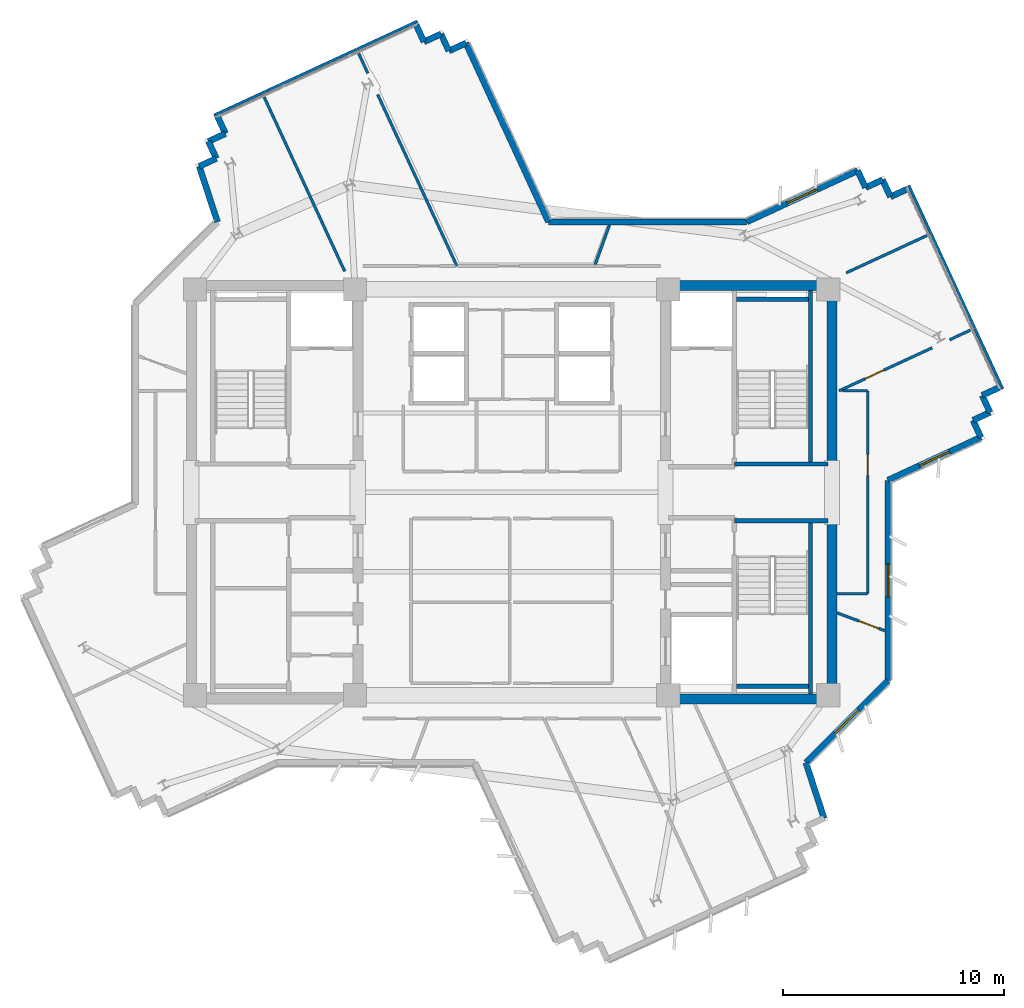
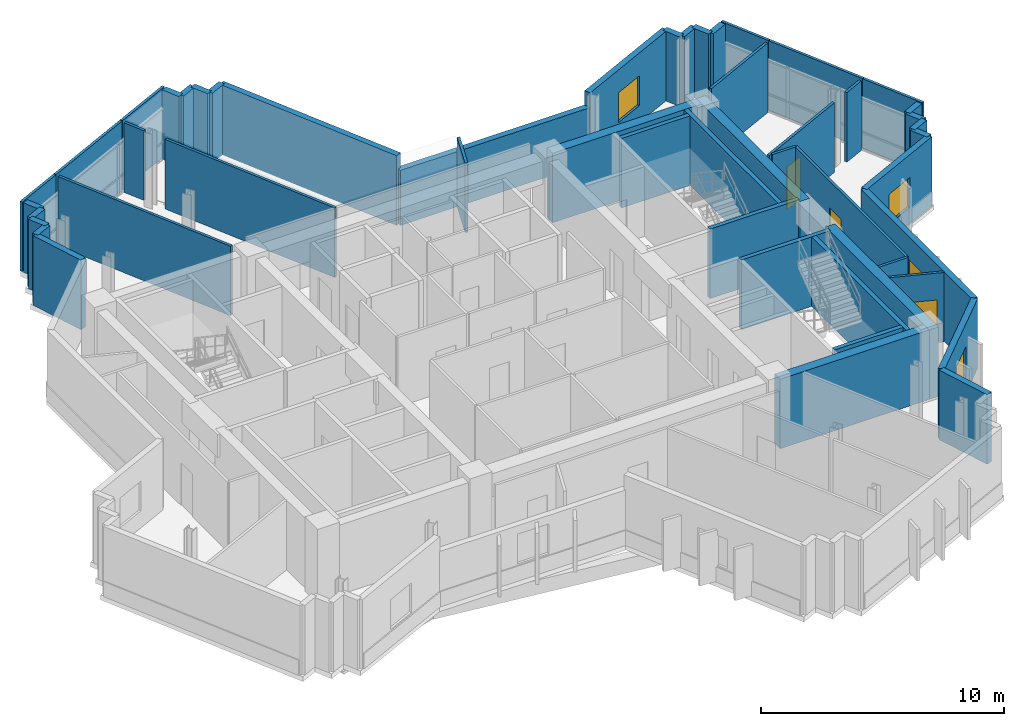
# One storey, part 8 of 12: 51 walls, 4 windows, 3 doors, 7 openings.
"""IFC4 building model written with IfcOpenShell, lengths in metres."""

from ifc_helpers import new_model, si_unit, direction, frame, frame_2d, origin, place, context, subcontext, project, spatial, rectangle, extrude, source, transform, mapped, material, layer, layer_set, type_object, element, fill, save


model = new_model("IFC4")

# Units and contexts
model_context = context("Model", 3, precision=1e-05, world=origin(), true_north=direction((0.0, 1.0)))
body_context = subcontext(model_context, "Body", "Model", "MODEL_VIEW")
ifc_project = project(units=[si_unit("LENGTHUNIT", "METRE"), si_unit("AREAUNIT", "SQUARE_METRE"), si_unit("VOLUMEUNIT", "CUBIC_METRE"), si_unit("PLANEANGLEUNIT", "RADIAN"), si_unit("MASSUNIT", "GRAM", prefix="KILO")], contexts=[model_context])

# Site, building, storey
site_placement = place(None, origin())
site = spatial("IfcSite", under=ifc_project, at=site_placement, CompositionType="ELEMENT")
building_placement = place(site_placement, origin())
building = spatial("IfcBuilding", under=site, at=building_placement, Name="Zahravan Cultural Tower", CompositionType="ELEMENT")
storey_placement = place(building_placement, frame((0.0, 0.0, 242.85009765625)))
storey = spatial("IfcBuildingStorey", under=building, at=storey_placement, Name="L57", CompositionType="ELEMENT", Elevation=242.85009765625)

# Wall, opening, window
ifc_material_1 = material(Name="Precast concrete C40/50", Category="concrete")
ifc_layer_1 = layer(ifc_material_1, 0.280029296875)
ifc_layer_set_1 = layer_set([ifc_layer_1], Name="Precast concrete C40/50")
wall_type_1 = type_object("IfcWallType", Name="EW-TC-280", PredefinedType="SOLIDWALL", material=ifc_layer_set_1)
wall_1_placement = place(storey_placement, frame((46.6552734375, 39.260009765625, 0.0), z_axis=(0.0, 0.0, 1.0), x_axis=(0.907767275269, 0.419474163627, 0.0)))
wall_1 = element("IfcWall", 1, at=wall_1_placement, inside=storey, type_object=wall_type_1, Name="L57 Exterior Masonry Frame Wall 01", PredefinedType="SOLIDWALL", context=body_context, shape_type="SweptSolid", body=[
    extrude(rectangle(XDim=5.544921875, YDim=0.280029296875, at=frame_2d((2.7724609375, 0.0))), origin(), (0.0, 0.0, 1.0), 3.5),
])
opening_1_placement = place(wall_1_placement, frame((2.02197265625, 0.0, 0.85009765625)))
opening_1 = element("IfcOpeningElement", 2, at=opening_1_placement, cuts=wall_1, Name="Opening WN-03", PredefinedType="OPENING", context=body_context, shape_type="SweptSolid", body=[
    extrude(rectangle(XDim=1.5, YDim=1.5, at=frame_2d((0.75, 0.75))), frame((0.0, 0.14990234375, 0.0), z_axis=(0.0, -1.0, 0.0), x_axis=(1.0, 0.0, 0.0)), (0.0, 0.0, 1.0), 0.300048828125),
])
ifc_material_2 = material(Name="Low-E solar-control double glazing", Category="glass")
window_type = type_object("IfcWindowType", Name="WN-REC-1500X1500", PartitioningType="SINGLE_PANEL", PredefinedType="WINDOW", material=ifc_material_2)
shared_shape_1 = source(origin(), body_context, "Body", "SweptSolid", [
    extrude(rectangle(XDim=1.5, YDim=1.5, at=frame_2d((0.75, 0.75))), frame((0.0, 0.030029296875, 0.0), z_axis=(0.0, -1.0, 0.0), x_axis=(1.0, 0.0, 0.0)), (0.0, 0.0, 1.0), 0.06005859375),
])
window_1_placement = place(opening_1_placement, origin())
window_1 = element("IfcWindow", 3, at=window_1_placement, inside=storey, type_object=window_type, Name="L57 Recessed Solar Window 01", OverallHeight=1.5, OverallWidth=1.5, PartitioningType="SINGLE_PANEL", PredefinedType="WINDOW", context=body_context, shape_type="MappedRepresentation", body=[
    mapped(shared_shape_1, transform((0.0, 0.0, 0.0), x_axis=(1.0, 0.0, 0.0), y_axis=(0.0, 1.0, 0.0), z_axis=(0.0, 0.0, 1.0), scale=1.0)),
])
fill(opening_1, window_1)

wall_2_placement = place(storey_placement, frame((57.27587890625, 29.494384765625, 0.0), z_axis=(0.0, 0.0, 1.0), x_axis=(-0.907756183213, -0.419498166669, 0.0)))
wall_2 = element("IfcWall", 4, at=wall_2_placement, inside=storey, type_object=wall_type_1, Name="L57 Exterior Masonry Frame Wall 10", PredefinedType="SOLIDWALL", context=body_context, shape_type="SweptSolid", body=[
    extrude(rectangle(XDim=4.644287109375, YDim=0.280029296875, at=frame_2d((2.322265625, 0.0))), origin(), (0.0, 0.0, 1.0), 3.5),
])
opening_2_placement = place(wall_2_placement, frame((1.572021484375, 0.0, 0.85009765625)))
opening_2 = element("IfcOpeningElement", 5, at=opening_2_placement, cuts=wall_2, Name="Opening WN-03", PredefinedType="OPENING", context=body_context, shape_type="SweptSolid", body=[
    extrude(rectangle(XDim=1.5, YDim=1.5, at=frame_2d((0.75, 0.75))), frame((0.0, 0.14990234375, 0.0), z_axis=(0.0, -1.0, 0.0), x_axis=(1.0, 0.0, 0.0)), (0.0, 0.0, 1.0), 0.300048828125),
])
window_2_placement = place(opening_2_placement, origin())
window_2 = element("IfcWindow", 6, at=window_2_placement, inside=storey, type_object=window_type, Name="L57 Recessed Solar Window 02", OverallHeight=1.5, OverallWidth=1.5, PartitioningType="SINGLE_PANEL", PredefinedType="WINDOW", context=body_context, shape_type="MappedRepresentation", body=[
    mapped(shared_shape_1, transform((0.0, 0.0, 0.0), x_axis=(1.0, 0.0, 0.0), y_axis=(0.0, 1.0, 0.0), z_axis=(0.0, 0.0, 1.0), scale=1.0)),
])
fill(opening_2, window_2)

wall_3_placement = place(storey_placement, frame((53.06005859375, 27.546142578125, 0.0), z_axis=(0.0, 0.0, 1.0), x_axis=(0.0, -1.0, 0.0)))
wall_3 = element("IfcWall", 7, at=wall_3_placement, inside=storey, type_object=wall_type_1, Name="L57 Exterior Masonry Frame Wall 11", PredefinedType="SOLIDWALL", context=body_context, shape_type="SweptSolid", body=[
    extrude(rectangle(XDim=9.088134765625, YDim=0.280029296875, at=frame_2d((4.5439453125, 0.0))), origin(), (0.0, 0.0, 1.0), 3.5),
])
opening_3_placement = place(wall_3_placement, frame((3.7939453125, 0.0, 0.85009765625)))
opening_3 = element("IfcOpeningElement", 8, at=opening_3_placement, cuts=wall_3, Name="Opening WN-03", PredefinedType="OPENING", context=body_context, shape_type="SweptSolid", body=[
    extrude(rectangle(XDim=1.5, YDim=1.5, at=frame_2d((0.75, 0.75))), frame((0.0, 0.14990234375, 0.0), z_axis=(0.0, -1.0, 0.0), x_axis=(1.0, 0.0, 0.0)), (0.0, 0.0, 1.0), 0.300048828125),
])
window_3_placement = place(opening_3_placement, origin())
window_3 = element("IfcWindow", 9, at=window_3_placement, inside=storey, type_object=window_type, Name="L57 Recessed Solar Window 03", OverallHeight=1.5, OverallWidth=1.5, PartitioningType="SINGLE_PANEL", PredefinedType="WINDOW", context=body_context, shape_type="MappedRepresentation", body=[
    mapped(shared_shape_1, transform((0.0, 0.0, 0.0), x_axis=(1.0, 0.0, 0.0), y_axis=(0.0, 1.0, 0.0), z_axis=(0.0, 0.0, 1.0), scale=1.0)),
])
fill(opening_3, window_3)

wall_4_placement = place(storey_placement, frame((53.06005859375, 18.4580078125, 0.0), z_axis=(0.0, 0.0, 1.0), x_axis=(-0.707106781187, -0.707106781187, 0.0)))
wall_4 = element("IfcWall", 10, at=wall_4_placement, inside=storey, type_object=wall_type_1, Name="L57 Exterior Masonry Frame Wall 12", PredefinedType="SOLIDWALL", context=body_context, shape_type="SweptSolid", body=[
    extrude(rectangle(XDim=5.258056640625, YDim=0.280029296875, at=frame_2d((2.62890625, 0.0))), origin(), (0.0, 0.0, 1.0), 3.5),
])
opening_4_placement = place(wall_4_placement, frame((1.87890625, 0.0, 0.85009765625)))
opening_4 = element("IfcOpeningElement", 11, at=opening_4_placement, cuts=wall_4, Name="Opening WN-03", PredefinedType="OPENING", context=body_context, shape_type="SweptSolid", body=[
    extrude(rectangle(XDim=1.5, YDim=1.5, at=frame_2d((0.75, 0.75))), frame((0.0, 0.14990234375, 0.0), z_axis=(0.0, -1.0, 0.0), x_axis=(1.0, 0.0, 0.0)), (0.0, 0.0, 1.0), 0.300048828125),
])
window_4_placement = place(opening_4_placement, origin())
window_4 = element("IfcWindow", 12, at=window_4_placement, inside=storey, type_object=window_type, Name="L57 Recessed Solar Window 04", OverallHeight=1.5, OverallWidth=1.5, PartitioningType="SINGLE_PANEL", PredefinedType="WINDOW", context=body_context, shape_type="MappedRepresentation", body=[
    mapped(shared_shape_1, transform((0.0, 0.0, 0.0), x_axis=(1.0, 0.0, 0.0), y_axis=(0.0, 1.0, 0.0), z_axis=(0.0, 0.0, 1.0), scale=1.0)),
])
fill(opening_4, window_4)

# Wall, opening, door
ifc_material_3 = material(Name="Gypsum plasterboard partition")
ifc_layer_2 = layer(ifc_material_3, 0.125)
ifc_layer_set_2 = layer_set([ifc_layer_2], Name="Gypsum plasterboard partition")
wall_type_2 = type_object("IfcWallType", Name="W-PART-125", PredefinedType="PARTITIONING", material=ifc_layer_set_2)
wall_5_placement = place(storey_placement, frame((55.06787109375, 33.55224609375, 0.0), z_axis=(0.0, 0.0, 1.0), x_axis=(-0.90779658515, -0.419410729465, 0.0)))
wall_5 = element("IfcWall", 13, at=wall_5_placement, inside=storey, type_object=wall_type_2, Name="L57 Interior Wall 073", PredefinedType="PARTITIONING", context=body_context, shape_type="SweptSolid", body=[
    extrude(rectangle(XDim=4.654541015625, YDim=0.125, at=frame_2d((2.3271484375, 0.0))), origin(), (0.0, 0.0, 1.0), 3.5),
])
opening_5_placement = place(wall_5_placement, frame((2.407958984375, 0.0, 0.0)))
opening_5 = element("IfcOpeningElement", 14, at=opening_5_placement, cuts=wall_5, Name="Opening D-L57-32", PredefinedType="OPENING", context=body_context, shape_type="SweptSolid", body=[
    extrude(rectangle(XDim=0.949951171875, YDim=2.14990234375, at=frame_2d((0.47509765625, 1.074951171875))), frame((0.0, 0.072509765625, 0.0), z_axis=(0.0, -1.0, 0.0), x_axis=(1.0, 0.0, 0.0)), (0.0, 0.0, 1.0), 0.14501953125),
])
ifc_material_4 = material(Name="Anodised bronze-aluminium mullion", Category="aluminium")
door_type = type_object("IfcDoorType", Name="DR-ROOM-950", OperationType="NOTDEFINED", PredefinedType="DOOR", material=ifc_material_4)
shared_shape_2 = source(origin(), body_context, "Body", "SweptSolid", [
    extrude(rectangle(XDim=0.949951171875, YDim=2.14990234375, at=frame_2d((0.47509765625, 1.074951171875))), frame((0.0, 0.02490234375, 0.0), z_axis=(0.0, -1.0, 0.0), x_axis=(1.0, 0.0, 0.0)), (0.0, 0.0, 1.0), 0.050048828125),
])
door_1_placement = place(opening_5_placement, origin())
door_1 = element("IfcDoor", 15, at=door_1_placement, inside=storey, type_object=door_type, Name="L57 Door D-L57-32", OperationType="SINGLE_SWING_RIGHT", OverallHeight=2.14990234375, OverallWidth=0.949951171875, PredefinedType="DOOR", context=body_context, shape_type="MappedRepresentation", body=[
    mapped(shared_shape_2, transform((0.0, 0.0, 0.0), x_axis=(1.0, 0.0, 0.0), y_axis=(0.0, 1.0, 0.0), z_axis=(0.0, 0.0, 1.0), scale=1.0)),
])
fill(opening_5, door_1)

wall_6_placement = place(storey_placement, frame((52.14990234375, 22.406005859375, 0.0), z_axis=(0.0, 0.0, 1.0), x_axis=(-2.657666e-05, 0.999999999647, 0.0)))
wall_6 = element("IfcWall", 16, at=wall_6_placement, inside=storey, type_object=wall_type_2, Name="L57 Interior Wall 081", PredefinedType="PARTITIONING", context=body_context, shape_type="SweptSolid", body=[
    extrude(rectangle(XDim=9.186279296875, YDim=0.125, at=frame_2d((4.59326171875, 0.0))), origin(), (0.0, 0.0, 1.0), 3.5),
])
opening_6_placement = place(wall_6_placement, frame((5.353759765625, 0.0, 0.0)))
opening_6 = element("IfcOpeningElement", 17, at=opening_6_placement, cuts=wall_6, Name="Opening D-L57-23", PredefinedType="OPENING", context=body_context, shape_type="SweptSolid", body=[
    extrude(rectangle(XDim=0.949951171875, YDim=2.14990234375, at=frame_2d((0.47509765625, 1.074951171875))), frame((0.0, 0.072509765625, 0.0), z_axis=(0.0, -1.0, 0.0), x_axis=(1.0, 0.0, 0.0)), (0.0, 0.0, 1.0), 0.14501953125),
])
door_2_placement = place(opening_6_placement, origin())
door_2 = element("IfcDoor", 18, at=door_2_placement, inside=storey, type_object=door_type, Name="L57 Door D-L57-23", OperationType="SINGLE_SWING_LEFT", OverallHeight=2.14990234375, OverallWidth=0.949951171875, PredefinedType="DOOR", context=body_context, shape_type="MappedRepresentation", body=[
    mapped(shared_shape_2, transform((0.0, 0.0, 0.0), x_axis=(1.0, 0.0, 0.0), y_axis=(0.0, 1.0, 0.0), z_axis=(0.0, 0.0, 1.0), scale=1.0)),
])
fill(opening_6, door_2)

wall_7_placement = place(storey_placement, frame((52.9150390625, 20.72705078125, 0.0), z_axis=(0.0, 0.0, 1.0), x_axis=(-0.936884992217, 0.349637685839, 0.0)))
wall_7 = element("IfcWall", 19, at=wall_7_placement, inside=storey, type_object=wall_type_2, Name="L57 Interior Wall 084", PredefinedType="PARTITIONING", context=body_context, shape_type="SweptSolid", body=[
    extrude(rectangle(XDim=2.3056640625, YDim=0.125, at=frame_2d((1.15283203125, 0.0))), origin(), (0.0, 0.0, 1.0), 3.5),
])
opening_7_placement = place(wall_7_placement, frame((0.298095703125, 0.0, 0.0)))
opening_7 = element("IfcOpeningElement", 20, at=opening_7_placement, cuts=wall_7, Name="Opening D-L57-35", PredefinedType="OPENING", context=body_context, shape_type="SweptSolid", body=[
    extrude(rectangle(XDim=0.949951171875, YDim=2.14990234375, at=frame_2d((0.47509765625, 1.074951171875))), frame((0.0, 0.072509765625, 0.0), z_axis=(0.0, -1.0, 0.0), x_axis=(1.0, 0.0, 0.0)), (0.0, 0.0, 1.0), 0.14501953125),
])
door_3_placement = place(opening_7_placement, origin())
door_3 = element("IfcDoor", 21, at=door_3_placement, inside=storey, type_object=door_type, Name="L57 Door D-L57-35", OperationType="SINGLE_SWING_LEFT", OverallHeight=2.14990234375, OverallWidth=0.949951171875, PredefinedType="DOOR", context=body_context, shape_type="MappedRepresentation", body=[
    mapped(shared_shape_2, transform((0.0, 0.0, 0.0), x_axis=(1.0, 0.0, 0.0), y_axis=(0.0, 1.0, 0.0), z_axis=(0.0, 0.0, 1.0), scale=1.0)),
])
fill(opening_7, door_3)

# Walls
ifc_material_5 = material(Name="Concrete C50/60", Category="concrete")
ifc_layer_3 = layer(ifc_material_5, 0.449951171875)
ifc_layer_set_3 = layer_set([ifc_layer_3], Name="Concrete C50/60")
wall_type_3 = type_object("IfcWallType", Name="CW-SHEAR-450-C50", PredefinedType="SHEAR", material=ifc_layer_set_3)
shared_shape_3 = source(origin(), body_context, "Body", "SweptSolid", [
    extrude(rectangle(XDim=8.550048828125, YDim=0.449951171875, at=frame_2d((4.27490234375, 0.0))), origin(), (0.0, 0.0, 1.0), 3.5),
])
for number, where, z_axis, x_axis, name in (
    (22, (50.52490234375, 17.39990234375, 0.0), (0.0, 0.0, 1.0), (0.0, 1.0, 0.0), "L57 Core Shear Wall CW-E-ES-L57"),
    (23, (50.52490234375, 28.050048828125, 0.0), (0.0, 0.0, 1.0), (0.0, 1.0, 0.0), "L57 Core Shear Wall CW-E-EN-L57"),
):
    element("IfcWall", number, at=place(storey_placement, frame(where, z_axis=z_axis, x_axis=x_axis)), inside=storey, type_object=wall_type_3, Name=name, PredefinedType="SHEAR", context=body_context, shape_type="MappedRepresentation", body=[
        mapped(shared_shape_3, transform((0.0, 0.0, 0.0), x_axis=(1.0, 0.0, 0.0), y_axis=(0.0, 1.0, 0.0), z_axis=(0.0, 0.0, 1.0), scale=1.0)),
    ])
shared_shape_4 = source(origin(), body_context, "Body", "SweptSolid", [
    extrude(rectangle(XDim=7.10009765625, YDim=0.449951171875, at=frame_2d((3.550048828125, 0.0))), origin(), (0.0, 0.0, 1.0), 3.5),
])
for number, where, z_axis, x_axis, name in (
    (24, (43.199951171875, 17.625, 0.0), (0.0, 0.0, 1.0), (1.0, 0.0, 0.0), "L57 Core Shear Wall CW-E-S-L57"),
    (25, (43.199951171875, 36.375, 0.0), (0.0, 0.0, 1.0), (1.0, 0.0, 0.0), "L57 Core Shear Wall CW-E-N-L57"),
):
    element("IfcWall", number, at=place(storey_placement, frame(where, z_axis=z_axis, x_axis=x_axis)), inside=storey, type_object=wall_type_3, Name=name, PredefinedType="SHEAR", context=body_context, shape_type="MappedRepresentation", body=[
        mapped(shared_shape_4, transform((0.0, 0.0, 0.0), x_axis=(1.0, 0.0, 0.0), y_axis=(0.0, 1.0, 0.0), z_axis=(0.0, 0.0, 1.0), scale=1.0)),
    ])
shared_shape_5 = source(origin(), body_context, "Body", "SweptSolid", [
    extrude(rectangle(XDim=0.85009765625, YDim=0.280029296875, at=frame_2d((0.425048828125, 0.0))), origin(), (0.0, 0.0, 1.0), 3.5),
])
for number, where, z_axis, x_axis, name in (
    (26, (51.688720703125, 41.5859375, 0.0), (0.0, 0.0, 1.0), (0.419549800563, -0.907732320041, 0.0), "L57 Exterior Masonry Frame Wall 02"),
    (27, (52.81689453125, 41.1708984375, 0.0), (0.0, 0.0, 1.0), (0.419313139191, -0.907841666427, 0.0), "L57 Exterior Masonry Frame Wall 04"),
    (28, (53.17333984375, 40.399169921875, 0.0), (0.0, 0.0, 1.0), (0.907841666427, 0.419313139191, 0.0), "L57 Exterior Masonry Frame Wall 05"),
    (29, (58.106201171875, 31.75048828125, 0.0), (0.0, 0.0, 1.0), (-0.907841666427, -0.419313139191, 0.0), "L57 Exterior Masonry Frame Wall 06"),
    (30, (57.33447265625, 31.39404296875, 0.0), (0.0, 0.0, 1.0), (0.419313139191, -0.907841666427, 0.0), "L57 Exterior Masonry Frame Wall 07"),
    (31, (21.83349609375, 41.781005859375, 0.0), (0.0, 0.0, 1.0), (0.907841666427, 0.419313139191, 0.0), "L57 Exterior Masonry Frame Wall 39"),
    (32, (22.605224609375, 42.137451171875, 0.0), (0.0, 0.0, 1.0), (-0.419313139191, 0.907841666427, 0.0), "L57 Exterior Masonry Frame Wall 40"),
    (33, (23.020263671875, 43.265625, 0.0), (0.0, 0.0, 1.0), (-0.419313139191, 0.907841666427, 0.0), "L57 Exterior Masonry Frame Wall 42"),
    (34, (32.025390625, 47.4267578125, 0.0), (0.0, 0.0, 1.0), (0.907841666427, 0.419313139191, 0.0), "L57 Exterior Masonry Frame Wall 44"),
    (35, (33.153564453125, 47.01171875, 0.0), (0.0, 0.0, 1.0), (0.907841666427, 0.419313139191, 0.0), "L57 Exterior Masonry Frame Wall 46"),
):
    element("IfcWall", number, at=place(storey_placement, frame(where, z_axis=z_axis, x_axis=x_axis)), inside=storey, type_object=wall_type_1, Name=name, PredefinedType="SOLIDWALL", context=body_context, shape_type="MappedRepresentation", body=[
        mapped(shared_shape_5, transform((0.0, 0.0, 0.0), x_axis=(1.0, 0.0, 0.0), y_axis=(0.0, 1.0, 0.0), z_axis=(0.0, 0.0, 1.0), scale=1.0)),
    ])
shared_shape_6 = source(origin(), body_context, "Body", "SweptSolid", [
    extrude(rectangle(XDim=0.849853515625, YDim=0.280029296875, at=frame_2d((0.4248046875, 0.0))), origin(), (0.0, 0.0, 1.0), 3.5),
])
for number, where, z_axis, x_axis, name in (
    (36, (52.04541015625, 40.814208984375, 0.0), (0.0, 0.0, 1.0), (0.907681752694, 0.41965919009, 0.0), "L57 Exterior Masonry Frame Wall 03"),
    (37, (57.69091796875, 30.622314453125, 0.0), (0.0, 0.0, 1.0), (-0.907791150023, -0.419422493365, 0.0), "L57 Exterior Masonry Frame Wall 08"),
    (38, (56.91943359375, 30.265869140625, 0.0), (0.0, 0.0, 1.0), (0.419422493365, -0.907791150023, 0.0), "L57 Exterior Masonry Frame Wall 09"),
    (39, (22.248779296875, 42.9091796875, 0.0), (0.0, 0.0, 1.0), (0.907791150023, 0.419422493365, 0.0), "L57 Exterior Masonry Frame Wall 41"),
    (40, (31.6689453125, 48.1982421875, 0.0), (0.0, 0.0, 1.0), (0.419422493365, -0.907791150023, 0.0), "L57 Exterior Masonry Frame Wall 43"),
    (41, (32.797119140625, 47.783203125, 0.0), (0.0, 0.0, 1.0), (0.419422493365, -0.907791150023, 0.0), "L57 Exterior Masonry Frame Wall 45"),
):
    element("IfcWall", number, at=place(storey_placement, frame(where, z_axis=z_axis, x_axis=x_axis)), inside=storey, type_object=wall_type_1, Name=name, PredefinedType="SOLIDWALL", context=body_context, shape_type="MappedRepresentation", body=[
        mapped(shared_shape_6, transform((0.0, 0.0, 0.0), x_axis=(1.0, 0.0, 0.0), y_axis=(0.0, 1.0, 0.0), z_axis=(0.0, 0.0, 1.0), scale=1.0)),
    ])
shared_shape_7 = source(origin(), body_context, "Body", "SweptSolid", [
    extrude(rectangle(XDim=2.65234375, YDim=0.280029296875, at=frame_2d((1.326171875, 0.0))), origin(), (0.0, 0.0, 1.0), 3.5),
])
for number, where, z_axis, x_axis, name in (
    (42, (49.342041015625, 14.739990234375, 0.0), (0.0, 0.0, 1.0), (0.310838004308, -0.950462905682, 0.0), "L57 Exterior Masonry Frame Wall 13"),
    (43, (22.657958984375, 39.260009765625, 0.0), (0.0, 0.0, 1.0), (-0.310838004308, 0.950462905682, 0.0), "L57 Exterior Masonry Frame Wall 38"),
):
    element("IfcWall", number, at=place(storey_placement, frame(where, z_axis=z_axis, x_axis=x_axis)), inside=storey, type_object=wall_type_1, Name=name, PredefinedType="SOLIDWALL", context=body_context, shape_type="MappedRepresentation", body=[
        mapped(shared_shape_7, transform((0.0, 0.0, 0.0), x_axis=(1.0, 0.0, 0.0), y_axis=(0.0, 1.0, 0.0), z_axis=(0.0, 0.0, 1.0), scale=1.0)),
    ])
shared_shape_8 = source(origin(), body_context, "Body", "SweptSolid", [
    extrude(rectangle(XDim=8.931884765625, YDim=0.280029296875, at=frame_2d((4.4658203125, 0.0))), origin(), (0.0, 0.0, 1.0), 3.5),
])
wall_8_placement = place(storey_placement, frame((33.92529296875, 47.3681640625, 0.0), z_axis=(0.0, 0.0, 1.0), x_axis=(0.419437747849, -0.90778410191, 0.0)))
element("IfcWall", 44, at=wall_8_placement, inside=storey, type_object=wall_type_1, Name="L57 Exterior Masonry Frame Wall 47", PredefinedType="SOLIDWALL", context=body_context, shape_type="MappedRepresentation", body=[
    mapped(shared_shape_8, transform((0.0, 0.0, 0.0), x_axis=(1.0, 0.0, 0.0), y_axis=(0.0, 1.0, 0.0), z_axis=(0.0, 0.0, 1.0), scale=1.0)),
])
shared_shape_9 = source(origin(), body_context, "Body", "SweptSolid", [
    extrude(rectangle(XDim=8.983642578125, YDim=0.280029296875, at=frame_2d((4.49169921875, 0.0))), origin(), (0.0, 0.0, 1.0), 2.77197265625),
])
wall_9_placement = place(storey_placement, frame((37.671630859375, 39.260009765625, 0.0), z_axis=(0.0, 0.0, 1.0), x_axis=(1.0, 0.0, 0.0)))
element("IfcWall", 45, at=wall_9_placement, inside=storey, type_object=wall_type_1, Name="L57 Exterior Masonry Frame Wall 48", PredefinedType="SOLIDWALL", context=body_context, shape_type="MappedRepresentation", body=[
    mapped(shared_shape_9, transform((0.0, 0.0, 0.0), x_axis=(1.0, 0.0, 0.0), y_axis=(0.0, 1.0, 0.0), z_axis=(0.0, 0.0, 1.0), scale=1.0)),
])
ifc_material_6 = material(Name="Concrete C45/55", Category="concrete")
ifc_layer_4 = layer(ifc_material_6, 0.199951171875)
ifc_layer_set_4 = layer_set([ifc_layer_4], Name="Concrete C45/55")
wall_type_4 = type_object("IfcWallType", Name="W-SHAFT-200", PredefinedType="SOLIDWALL", material=ifc_layer_set_4)
shared_shape_10 = source(origin(), body_context, "Body", "SweptSolid", [
    extrude(rectangle(XDim=7.869873046875, YDim=0.199951171875, at=frame_2d((3.93505859375, 0.0))), origin(), (0.0, 0.0, 1.0), 3.5),
])
for number, where, z_axis, x_axis, name in (
    (46, (49.550048828125, 17.85009765625, 0.0), (0.0, 0.0, 1.0), (0.0, 1.0, 0.0), "L57 Interior Wall 003"),
    (47, (49.550048828125, 28.280029296875, 0.0), (0.0, 0.0, 1.0), (0.0, 1.0, 0.0), "L57 Interior Wall 004"),
):
    element("IfcWall", number, at=place(storey_placement, frame(where, z_axis=z_axis, x_axis=x_axis)), inside=storey, type_object=wall_type_4, Name=name, PredefinedType="SOLIDWALL", context=body_context, shape_type="MappedRepresentation", body=[
        mapped(shared_shape_10, transform((0.0, 0.0, 0.0), x_axis=(1.0, 0.0, 0.0), y_axis=(0.0, 1.0, 0.0), z_axis=(0.0, 0.0, 1.0), scale=1.0)),
    ])
shared_shape_11 = source(origin(), body_context, "Body", "SweptSolid", [
    extrude(rectangle(XDim=4.25, YDim=0.199951171875, at=frame_2d((2.125, 0.0))), origin(), (0.0, 0.0, 1.0), 3.5),
])
for number, where, z_axis, x_axis, name in (
    (48, (46.10009765625, 25.715087890625, 0.0), (0.0, 0.0, 1.0), (1.0, 0.0, 0.0), "L57 Interior Wall 014"),
    (49, (46.10009765625, 28.284912109375, 0.0), (0.0, 0.0, 1.0), (1.0, 0.0, 0.0), "L57 Interior Wall 016"),
):
    element("IfcWall", number, at=place(storey_placement, frame(where, z_axis=z_axis, x_axis=x_axis)), inside=storey, type_object=wall_type_4, Name=name, PredefinedType="SOLIDWALL", context=body_context, shape_type="MappedRepresentation", body=[
        mapped(shared_shape_11, transform((0.0, 0.0, 0.0), x_axis=(1.0, 0.0, 0.0), y_axis=(0.0, 1.0, 0.0), z_axis=(0.0, 0.0, 1.0), scale=1.0)),
    ])
shared_shape_12 = source(origin(), body_context, "Body", "SweptSolid", [
    extrude(rectangle(XDim=3.25, YDim=0.199951171875, at=frame_2d((1.625, 0.0))), origin(), (0.0, 0.0, 1.0), 3.5),
])
for number, where, z_axis, x_axis, name in (
    (50, (46.199951171875, 35.75, 0.0), (0.0, 0.0, 1.0), (1.0, 0.0, 0.0), "L57 Interior Wall 018"),
    (51, (46.199951171875, 18.199951171875, 0.0), (0.0, 0.0, 1.0), (1.0, 0.0, 0.0), "L57 Interior Wall 020"),
):
    element("IfcWall", number, at=place(storey_placement, frame(where, z_axis=z_axis, x_axis=x_axis)), inside=storey, type_object=wall_type_4, Name=name, PredefinedType="SOLIDWALL", context=body_context, shape_type="MappedRepresentation", body=[
        mapped(shared_shape_12, transform((0.0, 0.0, 0.0), x_axis=(1.0, 0.0, 0.0), y_axis=(0.0, 1.0, 0.0), z_axis=(0.0, 0.0, 1.0), scale=1.0)),
    ])
shared_shape_13 = source(origin(), body_context, "Body", "SweptSolid", [
    extrude(rectangle(XDim=3.010009765625, YDim=0.125, at=frame_2d((1.5048828125, 0.0))), origin(), (0.0, 0.0, 1.0), 3.5),
])
for number, where, z_axis, x_axis, name in (
    (52, (57.002685546875, 34.42431640625, 0.0), (0.0, 0.0, 1.0), (0.419490178077, -0.90775987491, 0.0), "L57 Interior Wall 083"),
    (53, (28.9951171875, 47.094970703125, 0.0), (0.0, 0.0, 1.0), (0.907790759102, 0.419423339467, 0.0), "L57 Interior Wall 102"),
):
    element("IfcWall", number, at=place(storey_placement, frame(where, z_axis=z_axis, x_axis=x_axis)), inside=storey, type_object=wall_type_2, Name=name, PredefinedType="PARTITIONING", context=body_context, shape_type="MappedRepresentation", body=[
        mapped(shared_shape_13, transform((0.0, 0.0, 0.0), x_axis=(1.0, 0.0, 0.0), y_axis=(0.0, 1.0, 0.0), z_axis=(0.0, 0.0, 1.0), scale=1.0)),
    ])
shared_shape_14 = source(origin(), body_context, "Body", "SweptSolid", [
    extrude(rectangle(XDim=4.020263671875, YDim=0.125, at=frame_2d((2.01025390625, 0.0))), origin(), (0.0, 0.0, 1.0), 3.5),
])
wall_10_placement = place(storey_placement, frame((51.169921875, 36.95068359375, 0.0), z_axis=(0.0, 0.0, 1.0), x_axis=(0.907776222313, 0.419454801145, 0.0)))
element("IfcWall", 54, at=wall_10_placement, inside=storey, type_object=wall_type_2, Name="L57 Interior Wall 070", PredefinedType="PARTITIONING", context=body_context, shape_type="MappedRepresentation", body=[
    mapped(shared_shape_14, transform((0.0, 0.0, 0.0), x_axis=(1.0, 0.0, 0.0), y_axis=(0.0, 1.0, 0.0), z_axis=(0.0, 0.0, 1.0), scale=1.0)),
])
shared_shape_15 = source(origin(), body_context, "Body", "SweptSolid", [
    extrude(rectangle(XDim=4.72021484375, YDim=0.125, at=frame_2d((2.360107421875, 0.0))), origin(), (0.0, 0.0, 1.0), 3.5),
])
wall_11_placement = place(storey_placement, frame((55.0146484375, 38.727294921875, 0.0), z_axis=(0.0, 0.0, 1.0), x_axis=(0.419422223592, -0.907791274665, 0.0)))
element("IfcWall", 55, at=wall_11_placement, inside=storey, type_object=wall_type_2, Name="L57 Interior Wall 071", PredefinedType="PARTITIONING", context=body_context, shape_type="MappedRepresentation", body=[
    mapped(shared_shape_15, transform((0.0, 0.0, 0.0), x_axis=(1.0, 0.0, 0.0), y_axis=(0.0, 1.0, 0.0), z_axis=(0.0, 0.0, 1.0), scale=1.0)),
])
shared_shape_16 = source(origin(), body_context, "Body", "SweptSolid", [
    extrude(rectangle(XDim=1.034423828125, YDim=0.125, at=frame_2d((0.51708984375, 0.0))), origin(), (0.0, 0.0, 1.0), 3.5),
])
wall_12_placement = place(storey_placement, frame((56.79931640625, 34.352294921875, 0.0), z_axis=(0.0, 0.0, 1.0), x_axis=(-0.907786599617, -0.419432342049, 0.0)))
element("IfcWall", 56, at=wall_12_placement, inside=storey, type_object=wall_type_2, Name="L57 Interior Wall 072", PredefinedType="PARTITIONING", context=body_context, shape_type="MappedRepresentation", body=[
    mapped(shared_shape_16, transform((0.0, 0.0, 0.0), x_axis=(1.0, 0.0, 0.0), y_axis=(0.0, 1.0, 0.0), z_axis=(0.0, 0.0, 1.0), scale=1.0)),
])
shared_shape_17 = source(origin(), body_context, "Body", "SweptSolid", [
    extrude(rectangle(XDim=1.38916015625, YDim=0.125, at=frame_2d((0.694580078125, 0.0))), origin(), (0.0, 0.0, 1.0), 3.5),
])
wall_13_placement = place(storey_placement, frame((50.7548828125, 22.39990234375, 0.0), z_axis=(0.0, 0.0, 1.0), x_axis=(1.0, 0.0, 0.0)))
element("IfcWall", 57, at=wall_13_placement, inside=storey, type_object=wall_type_2, Name="L57 Interior Wall 080", PredefinedType="PARTITIONING", context=body_context, shape_type="MappedRepresentation", body=[
    mapped(shared_shape_17, transform((0.0, 0.0, 0.0), x_axis=(1.0, 0.0, 0.0), y_axis=(0.0, 1.0, 0.0), z_axis=(0.0, 0.0, 1.0), scale=1.0)),
])
shared_shape_18 = source(origin(), body_context, "Body", "SweptSolid", [
    extrude(rectangle(XDim=1.138671875, YDim=0.125, at=frame_2d((0.5693359375, 0.0))), origin(), (0.0, 0.0, 1.0), 3.5),
])
wall_14_placement = place(storey_placement, frame((52.142333984375, 31.599609375, 0.0), z_axis=(0.0, 0.0, 1.0), x_axis=(-0.999999908058, 0.000428816427, 0.0)))
element("IfcWall", 58, at=wall_14_placement, inside=storey, type_object=wall_type_2, Name="L57 Interior Wall 082", PredefinedType="PARTITIONING", context=body_context, shape_type="MappedRepresentation", body=[
    mapped(shared_shape_18, transform((0.0, 0.0, 0.0), x_axis=(1.0, 0.0, 0.0), y_axis=(0.0, 1.0, 0.0), z_axis=(0.0, 0.0, 1.0), scale=1.0)),
])
shared_shape_19 = source(origin(), body_context, "Body", "SweptSolid", [
    extrude(rectangle(XDim=1.9013671875, YDim=0.125, at=frame_2d((0.95068359375, 0.0))), origin(), (0.0, 0.0, 1.0), 3.5),
])
wall_15_placement = place(storey_placement, frame((39.785400390625, 37.327392578125, 0.0), z_axis=(0.0, 0.0, 1.0), x_axis=(0.340887270823, 0.940104179648, 0.0)))
element("IfcWall", 59, at=wall_15_placement, inside=storey, type_object=wall_type_2, Name="L57 Interior Wall 086", PredefinedType="PARTITIONING", context=body_context, shape_type="MappedRepresentation", body=[
    mapped(shared_shape_19, transform((0.0, 0.0, 0.0), x_axis=(1.0, 0.0, 0.0), y_axis=(0.0, 1.0, 0.0), z_axis=(0.0, 0.0, 1.0), scale=1.0)),
])
shared_shape_20 = source(origin(), body_context, "Body", "SweptSolid", [
    extrude(rectangle(XDim=2.389892578125, YDim=0.125, at=frame_2d((1.19482421875, 0.0))), origin(), (0.0, 0.0, 1.0), 3.5),
])
for number, where, z_axis, x_axis, name in (
    (60, (54.003662109375, 40.914794921875, 0.0), (0.0, 0.0, 1.0), (0.419459790898, -0.907773916688, 0.0), "L57 Interior Wall 087"),
    (61, (22.504638671875, 44.095947265625, 0.0), (0.0, 0.0, 1.0), (0.907773916688, 0.419459790898, 0.0), "L57 Interior Wall 094"),
):
    element("IfcWall", number, at=place(storey_placement, frame(where, z_axis=z_axis, x_axis=x_axis)), inside=storey, type_object=wall_type_2, Name=name, PredefinedType="PARTITIONING", context=body_context, shape_type="MappedRepresentation", body=[
        mapped(shared_shape_20, transform((0.0, 0.0, 0.0), x_axis=(1.0, 0.0, 0.0), y_axis=(0.0, 1.0, 0.0), z_axis=(0.0, 0.0, 1.0), scale=1.0)),
    ])
shared_shape_21 = source(origin(), body_context, "Body", "SweptSolid", [
    extrude(rectangle(XDim=8.56396484375, YDim=0.125, at=frame_2d((4.281982421875, 0.0))), origin(), (0.0, 0.0, 1.0), 3.5),
])
wall_16_placement = place(storey_placement, frame((29.92529296875, 45.0341796875, 0.0), z_axis=(0.0, 0.0, 1.0), x_axis=(0.419463084945, -0.907772394584, 0.0)))
element("IfcWall", 62, at=wall_16_placement, inside=storey, type_object=wall_type_2, Name="L57 Interior Wall 088", PredefinedType="PARTITIONING", context=body_context, shape_type="MappedRepresentation", body=[
    mapped(shared_shape_21, transform((0.0, 0.0, 0.0), x_axis=(1.0, 0.0, 0.0), y_axis=(0.0, 1.0, 0.0), z_axis=(0.0, 0.0, 1.0), scale=1.0)),
])
shared_shape_22 = source(origin(), body_context, "Body", "SweptSolid", [
    extrude(rectangle(XDim=8.700927734375, YDim=0.125, at=frame_2d((4.3505859375, 0.0))), origin(), (0.0, 0.0, 1.0), 3.5),
])
wall_17_placement = place(storey_placement, frame((28.428955078125, 37.02001953125, 0.0), z_axis=(0.0, 0.0, 1.0), x_axis=(-0.419458495046, 0.907774515468, 0.0)))
element("IfcWall", 63, at=wall_17_placement, inside=storey, type_object=wall_type_2, Name="L57 Interior Wall 090", PredefinedType="PARTITIONING", context=body_context, shape_type="MappedRepresentation", body=[
    mapped(shared_shape_22, transform((0.0, 0.0, 0.0), x_axis=(1.0, 0.0, 0.0), y_axis=(0.0, 1.0, 0.0), z_axis=(0.0, 0.0, 1.0), scale=1.0)),
])
shared_shape_23 = source(origin(), body_context, "Body", "SweptSolid", [
    extrude(rectangle(XDim=4.7197265625, YDim=0.125, at=frame_2d((2.35986328125, 0.0))), origin(), (0.0, 0.0, 1.0), 3.5),
])
wall_18_placement = place(storey_placement, frame((24.6923828125, 45.106689453125, 0.0), z_axis=(0.0, 0.0, 1.0), x_axis=(0.907753377062, 0.419504238873, 0.0)))
element("IfcWall", 64, at=wall_18_placement, inside=storey, type_object=wall_type_2, Name="L57 Interior Wall 091", PredefinedType="PARTITIONING", context=body_context, shape_type="MappedRepresentation", body=[
    mapped(shared_shape_23, transform((0.0, 0.0, 0.0), x_axis=(1.0, 0.0, 0.0), y_axis=(0.0, 1.0, 0.0), z_axis=(0.0, 0.0, 1.0), scale=1.0)),
])
shared_shape_24 = source(origin(), body_context, "Body", "SweptSolid", [
    extrude(rectangle(XDim=0.99560546875, YDim=0.125, at=frame_2d((0.497802734375, 0.0))), origin(), (0.0, 0.0, 1.0), 3.5),
])
wall_19_placement = place(storey_placement, frame((29.06396484375, 46.898193359375, 0.0), z_axis=(0.0, 0.0, 1.0), x_axis=(0.419540149112, -0.907736780836, 0.0)))
element("IfcWall", 65, at=wall_19_placement, inside=storey, type_object=wall_type_2, Name="L57 Interior Wall 092", PredefinedType="PARTITIONING", context=body_context, shape_type="MappedRepresentation", body=[
    mapped(shared_shape_24, transform((0.0, 0.0, 0.0), x_axis=(1.0, 0.0, 0.0), y_axis=(0.0, 1.0, 0.0), z_axis=(0.0, 0.0, 1.0), scale=1.0)),
])

save(model, "model.ifc")
